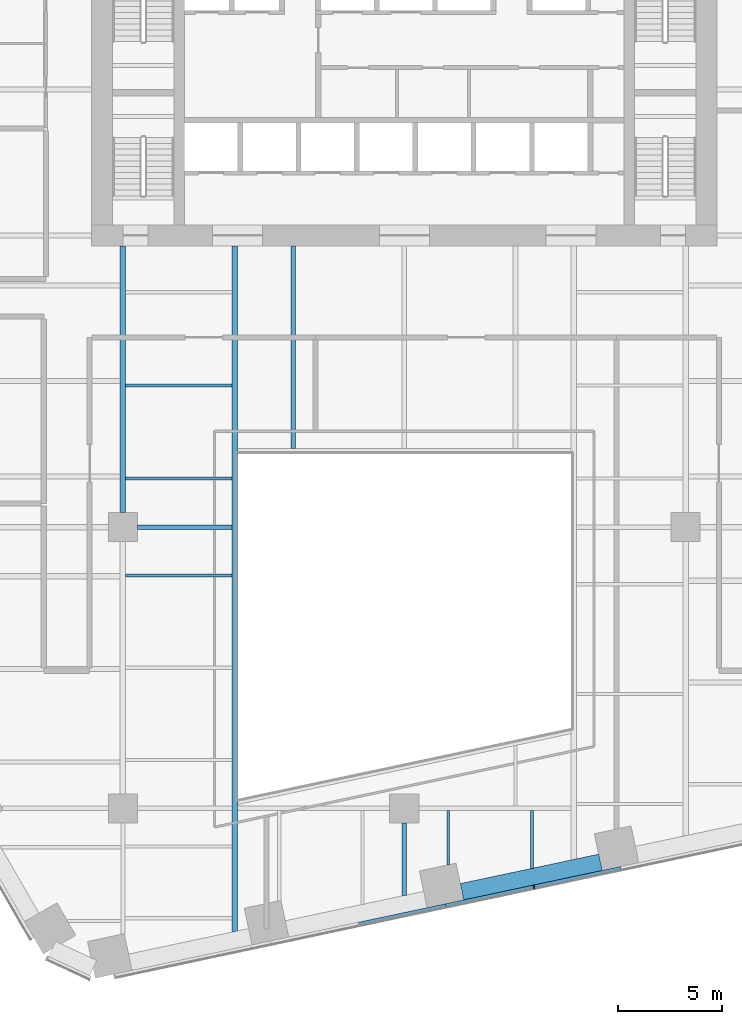
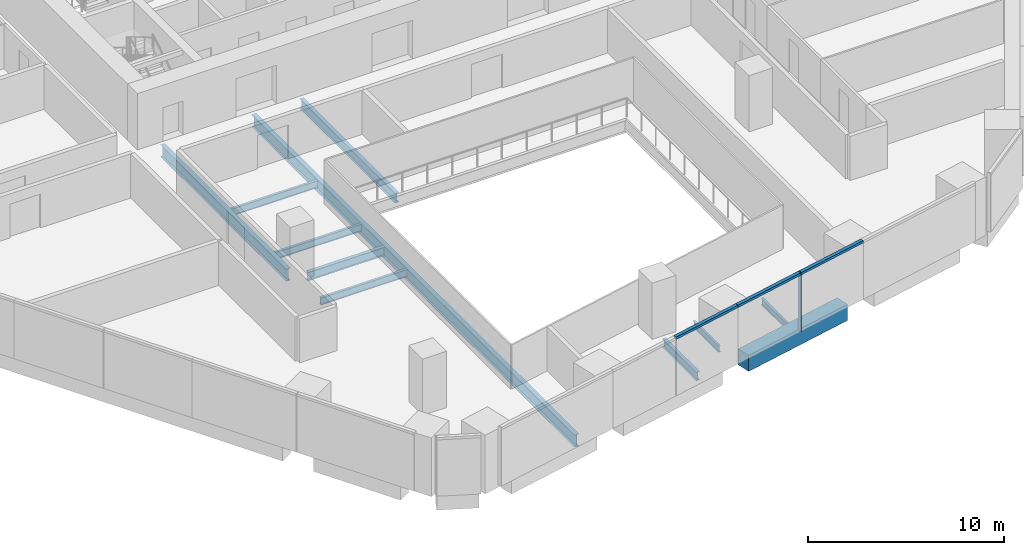
# One storey, part 4 of 20: 11 beams, 4 members, 1 element without a shape of its own.
"""IFC4 building model written with IfcOpenShell, lengths in metres."""

from ifc_helpers import new_model, si_unit, direction, frame, origin, origin_2d, place, context, subcontext, project, spatial, rectangle, i_section, extrude, material, layer, layer_set, material_profile, profile_set, type_object, element, aggregate, save


model = new_model("IFC4")

# Units and contexts
model_context = context("Model", 3, precision=1e-05, world=origin(), true_north=direction((0.0, 1.0)))
body_context = subcontext(model_context, "Body", "Model", "MODEL_VIEW")
ifc_project = project(units=[si_unit("LENGTHUNIT", "METRE"), si_unit("AREAUNIT", "SQUARE_METRE"), si_unit("VOLUMEUNIT", "CUBIC_METRE"), si_unit("PLANEANGLEUNIT", "RADIAN"), si_unit("MASSUNIT", "GRAM", prefix="KILO")], contexts=[model_context])

# Site, building, storey
site_placement = place(None, origin())
site = spatial("IfcSite", under=ifc_project, at=site_placement, CompositionType="ELEMENT")
building_placement = place(site_placement, origin())
building = spatial("IfcBuilding", under=site, at=building_placement, Name="Isthmus Gate Tower", CompositionType="ELEMENT")
storey_placement = place(building_placement, frame((0.0, 0.0, 57.89990234375)))
storey = spatial("IfcBuildingStorey", under=building, at=storey_placement, Name="L12", CompositionType="ELEMENT", Elevation=57.89990234375)

# Curtain wall, members
ifc_material_1 = material(Name="Aluminium, pale champagne anodised", Category="aluminium")
ifc_layer = layer(ifc_material_1, 0.199951171875)
ifc_layer_set = layer_set([ifc_layer], Name="CW-1 UNITISED CURTAIN WALL 200 DEEP")
curtain_wall_type = type_object("IfcCurtainWallType", Name="CW-1 UNITISED CURTAIN WALL 200 DEEP", PredefinedType="NOTDEFINED", material=ifc_layer_set)
curtain_wall_placement = place(storey_placement, origin())
curtain_wall = element("IfcCurtainWall", 1, at=curtain_wall_placement, inside=storey, type_object=curtain_wall_type, Name="CW-1 S L12", PredefinedType="NOTDEFINED")
ifc_material_2 = material(Name="Aluminium, pale champagne anodised", Category="aluminium")
ifc_material_profile_1 = material_profile(ifc_material_2, rectangle(XDim=0.06005859375, YDim=0.199951171875, at=origin_2d()), Name="60x200")
ifc_profile_set_1 = profile_set([ifc_material_profile_1], Name="Aluminium, pale champagne anodised")
member_type_1 = type_object("IfcMemberType", Name="CW-1 MULLION 60 X 200", PredefinedType="MULLION", material=ifc_profile_set_1)
member_1_placement = place(storey_placement, frame((6.228759765625, -30.7783203125, 0.0), z_axis=(0.0, 0.0, 1.0), x_axis=(0.978147600734, 0.207911690818, 0.0)))
member_1 = element("IfcMember", 2, at=member_1_placement, type_object=member_type_1, Name="CW-1 mullion", PredefinedType="MULLION", context=body_context, shape_type="SweptSolid", body=[
    extrude(rectangle(XDim=0.06005859375, YDim=0.199951171875, at=origin_2d()), origin(), (0.0, 0.0, 1.0), 3.650146484375),
])
ifc_material_3 = material(Name="Aluminium, pale champagne anodised", Category="aluminium")
ifc_material_profile_2 = material_profile(ifc_material_3, rectangle(XDim=0.199951171875, YDim=0.14990234375, at=origin_2d()), Name="200x150")
ifc_profile_set_2 = profile_set([ifc_material_profile_2], Name="Aluminium, pale champagne anodised")
member_type_2 = type_object("IfcMemberType", Name="CW-1 TRANSOM 200 X 150", PredefinedType="USERDEFINED", material=ifc_profile_set_2)
member_2_placement = place(storey_placement, frame((-2.1435546875, -32.557861328125, 3.5751953125), z_axis=(0.978150351608, 0.20789874855, 0.0), x_axis=(-0.20789874855, 0.978150351608, 0.0)))
member_2 = element("IfcMember", 3, at=member_2_placement, type_object=member_type_2, Name="CW-1 transom", ObjectType="TRANSOM", PredefinedType="USERDEFINED", context=body_context, shape_type="SweptSolid", body=[
    extrude(rectangle(XDim=0.199951171875, YDim=0.14990234375, at=origin_2d()), origin(), (0.0, 0.0, 1.0), 4.234619140625),
])
member_3_placement = place(storey_placement, frame((1.99853515625, -31.677490234375, 3.5751953125), z_axis=(0.97813890815, 0.207952582007, 0.0), x_axis=(-0.207952582007, 0.97813890815, 0.0)))
member_3 = element("IfcMember", 4, at=member_3_placement, type_object=member_type_2, Name="CW-1 transom", ObjectType="TRANSOM", PredefinedType="USERDEFINED", context=body_context, shape_type="SweptSolid", body=[
    extrude(rectangle(XDim=0.199951171875, YDim=0.14990234375, at=origin_2d()), origin(), (0.0, 0.0, 1.0), 4.294677734375),
])
member_4_placement = place(storey_placement, frame((6.258056640625, -30.77197265625, 3.5751953125), z_axis=(0.978150351608, 0.20789874855, 0.0), x_axis=(-0.20789874855, 0.978150351608, 0.0)))
member_4 = element("IfcMember", 5, at=member_4_placement, type_object=member_type_2, Name="CW-1 transom", ObjectType="TRANSOM", PredefinedType="USERDEFINED", context=body_context, shape_type="SweptSolid", body=[
    extrude(rectangle(XDim=0.199951171875, YDim=0.14990234375, at=origin_2d()), origin(), (0.0, 0.0, 1.0), 4.234619140625),
])
aggregate(curtain_wall, [member_2, member_3, member_1, member_4])

# Beams
ifc_material_4 = material(Name="Concrete f'c 70 MPa", Category="concrete")
ifc_material_profile_3 = material_profile(ifc_material_4, rectangle(XDim=0.800048828125, YDim=1.0, at=origin_2d()), Name="RC 800X1000")
ifc_profile_set_3 = profile_set([ifc_material_profile_3], Name="Concrete f'c 70 MPa")
beam_type_1 = type_object("IfcBeamType", Name="RC SPANDREL 800 X 1000", PredefinedType="SPANDREL", material=ifc_profile_set_3)
beam_1_placement = place(storey_placement, frame((9.415771484375, -29.589599609375, -0.5), z_axis=(-0.978145779981, -0.207920256603, 0.0), x_axis=(0.207920256603, -0.978145779981, 0.0)))
element("IfcBeam", 6, at=beam_1_placement, inside=storey, type_object=beam_type_1, Name="str-spandrel-L12-11", PredefinedType="SPANDREL", context=body_context, shape_type="SweptSolid", body=[
    extrude(rectangle(XDim=0.800048828125, YDim=1.0, at=origin_2d()), origin(), (0.0, 0.0, 1.0), 6.789306640625),
])
ifc_material_5 = material(Name="Structural steel ASTM A992 Gr 50", Category="steel")
ifc_material_profile_4 = material_profile(ifc_material_5, i_section(OverallWidth=0.1396484375, OverallDepth=0.4033203125, WebThickness=0.00634765625, FlangeThickness=0.010986328125, at=origin_2d()), Name="W16X31")
ifc_profile_set_4 = profile_set([ifc_material_profile_4], Name="Structural steel ASTM A992 Gr 50")
beam_type_2 = type_object("IfcBeamType", Name="STEEL FLOOR BEAM W16X31", PredefinedType="JOIST", material=ifc_profile_set_4)
beam_2_placement = place(storey_placement, frame((2.111572265625, -29.7109375, -0.3515625), z_axis=(0.0, 1.0, 0.0), x_axis=(-1.0, 0.0, 0.0)))
element("IfcBeam", 7, at=beam_2_placement, inside=storey, type_object=beam_type_2, Name="str-beam-L12-18-00", PredefinedType="JOIST", context=body_context, shape_type="SweptSolid", body=[
    extrude(i_section(OverallWidth=0.1396484375, OverallDepth=0.4033203125, WebThickness=0.00634765625, FlangeThickness=0.010986328125, at=origin_2d()), origin(), (0.0, 0.0, 1.0), 2.5966796875),
])
beam_3_placement = place(storey_placement, frame((6.125, -29.880126953125, -0.3515625), z_axis=(0.0, 1.0, 0.0), x_axis=(-1.0, 0.0, 0.0)))
element("IfcBeam", 8, at=beam_3_placement, inside=storey, type_object=beam_type_2, Name="str-beam-L12-18-01", PredefinedType="JOIST", context=body_context, shape_type="SweptSolid", body=[
    extrude(i_section(OverallWidth=0.1396484375, OverallDepth=0.4033203125, WebThickness=0.00634765625, FlangeThickness=0.010986328125, at=origin_2d()), origin(), (0.0, 0.0, 1.0), 2.765869140625),
])
ifc_material_6 = material(Name="Structural steel ASTM A992 Gr 50", Category="steel")
ifc_material_profile_5 = material_profile(ifc_material_6, i_section(OverallWidth=0.15234375, OverallDepth=0.45068359375, WebThickness=0.0078125, FlangeThickness=0.010986328125, at=origin_2d()), Name="W18X35")
ifc_profile_set_5 = profile_set([ifc_material_profile_5], Name="Structural steel ASTM A992 Gr 50")
beam_type_3 = type_object("IfcBeamType", Name="STEEL FLOOR BEAM W18X35", PredefinedType="JOIST", material=ifc_profile_set_5)
for number, where, z_axis, x_axis, name in (
    (9, (-13.3681640625, -11.16259765625, -0.375244140625), (1.0, 0.0, 0.0), (0.0, 1.0, 0.0), "str-beam-L12-11-00"),
    (10, (-13.3681640625, -6.697509765625, -0.375244140625), (1.0, 0.0, 0.0), (0.0, 1.0, 0.0), "str-beam-L12-11-01"),
    (11, (-13.3681640625, -15.81982421875, -0.375244140625), (1.0, 0.0, 0.0), (0.0, 1.0, 0.0), "str-beam-L12-12-02"),
):
    element("IfcBeam", number, at=place(storey_placement, frame(where, z_axis=z_axis, x_axis=x_axis)), inside=storey, type_object=beam_type_3, Name=name, PredefinedType="JOIST", context=body_context, shape_type="SweptSolid", body=[
        extrude(i_section(OverallWidth=0.15234375, OverallDepth=0.45068359375, WebThickness=0.0078125, FlangeThickness=0.010986328125, at=origin_2d()), origin(), (0.0, 0.0, 1.0), 5.1015625),
    ])
ifc_material_7 = material(Name="Structural steel ASTM A992 Gr 50", Category="steel")
ifc_material_profile_6 = material_profile(ifc_material_7, i_section(OverallWidth=0.228515625, OverallDepth=0.603271484375, WebThickness=0.010986328125, FlangeThickness=0.014404296875, at=origin_2d()), Name="W24X68")
ifc_profile_set_6 = profile_set([ifc_material_profile_6], Name="Structural steel ASTM A992 Gr 50")
beam_type_4 = type_object("IfcBeamType", Name="STEEL FLOOR BEAM W24X68", PredefinedType="JOIST", material=ifc_profile_set_6)
beam_4_placement = place(storey_placement, frame((-5.333251953125, -9.7333984375, -0.451416015625), z_axis=(0.0, 1.0, 0.0), x_axis=(-1.0, 0.0, 0.0)))
element("IfcBeam", 12, at=beam_4_placement, inside=storey, type_object=beam_type_4, Name="str-beam-L12-16-00", PredefinedType="JOIST", context=body_context, shape_type="SweptSolid", body=[
    extrude(i_section(OverallWidth=0.228515625, OverallDepth=0.603271484375, WebThickness=0.010986328125, FlangeThickness=0.014404296875, at=origin_2d()), origin(), (0.0, 0.0, 1.0), 9.7333984375),
])
ifc_material_8 = material(Name="Structural steel ASTM A992 Gr 50", Category="steel")
ifc_material_profile_7 = material_profile(ifc_material_8, i_section(OverallWidth=0.20947265625, OverallDepth=0.533447265625, WebThickness=0.009521484375, FlangeThickness=0.015869140625, at=origin_2d()), Name="W21X62")
ifc_profile_set_7 = profile_set([ifc_material_profile_7], Name="Structural steel ASTM A992 Gr 50")
beam_type_5 = type_object("IfcBeamType", Name="STEEL GIRDER W21X62", PredefinedType="BEAM", material=ifc_profile_set_7)
beam_5_placement = place(storey_placement, frame((-12.800048828125, -13.5, -0.41650390625), z_axis=(1.0, 0.0, 0.0), x_axis=(0.0, 1.0, 0.0)))
element("IfcBeam", 13, at=beam_5_placement, inside=storey, type_object=beam_type_5, Name="str-girder-L12-06", PredefinedType="BEAM", context=body_context, shape_type="SweptSolid", body=[
    extrude(i_section(OverallWidth=0.20947265625, OverallDepth=0.533447265625, WebThickness=0.009521484375, FlangeThickness=0.015869140625, at=origin_2d()), origin(), (0.0, 0.0, 1.0), 4.533447265625),
])
beam_6_placement = place(storey_placement, frame((0.0, -31.18212890625, -0.41650390625), z_axis=(0.0, 1.0, 0.0), x_axis=(-1.0, 0.0, 0.0)))
element("IfcBeam", 14, at=beam_6_placement, inside=storey, type_object=beam_type_5, Name="str-girder-L12-28", PredefinedType="BEAM", context=body_context, shape_type="SweptSolid", body=[
    extrude(i_section(OverallWidth=0.20947265625, OverallDepth=0.533447265625, WebThickness=0.009521484375, FlangeThickness=0.015869140625, at=origin_2d()), origin(), (0.0, 0.0, 1.0), 3.482177734375),
])
ifc_material_9 = material(Name="Structural steel ASTM A992 Gr 50", Category="steel")
ifc_material_profile_8 = material_profile(ifc_material_9, i_section(OverallWidth=0.263427734375, OverallDepth=0.749267578125, WebThickness=0.0126953125, FlangeThickness=0.015869140625, at=origin_2d()), Name="W30X90")
ifc_profile_set_8 = profile_set([ifc_material_profile_8], Name="Structural steel ASTM A992 Gr 50")
beam_type_6 = type_object("IfcBeamType", Name="STEEL GIRDER W30X90", PredefinedType="BEAM", material=ifc_profile_set_8)
beam_7_placement = place(storey_placement, frame((-13.5, -12.800048828125, -0.524658203125), z_axis=(0.0, 1.0, 0.0), x_axis=(-1.0, 0.0, 0.0)))
element("IfcBeam", 15, at=beam_7_placement, inside=storey, type_object=beam_type_6, Name="str-girder-L12-25", PredefinedType="BEAM", context=body_context, shape_type="SweptSolid", body=[
    extrude(i_section(OverallWidth=0.263427734375, OverallDepth=0.749267578125, WebThickness=0.0126953125, FlangeThickness=0.015869140625, at=origin_2d()), origin(), (0.0, 0.0, 1.0), 12.800048828125),
])
ifc_material_10 = material(Name="Structural steel ASTM A992 Gr 50", Category="steel")
ifc_material_profile_9 = material_profile(ifc_material_10, i_section(OverallWidth=0.2666015625, OverallDepth=0.7587890625, WebThickness=0.014404296875, FlangeThickness=0.01904296875, at=origin_2d()), Name="W30X108")
ifc_profile_set_9 = profile_set([ifc_material_profile_9], Name="Structural steel ASTM A992 Gr 50")
beam_type_7 = type_object("IfcBeamType", Name="STEEL TRIMMER W30X108", PredefinedType="BEAM", material=ifc_profile_set_9)
beam_8_placement = place(storey_placement, frame((-8.13330078125, 0.0, -0.529296875), z_axis=(0.0, -1.0, 0.0), x_axis=(1.0, 0.0, 0.0)))
element("IfcBeam", 16, at=beam_8_placement, inside=storey, type_object=beam_type_7, Name="str-trimmer-L12-02", PredefinedType="BEAM", context=body_context, shape_type="SweptSolid", body=[
    extrude(i_section(OverallWidth=0.2666015625, OverallDepth=0.7587890625, WebThickness=0.014404296875, FlangeThickness=0.01904296875, at=origin_2d()), origin(), (0.0, 0.0, 1.0), 32.910888671875),
])

save(model, "model.ifc")
